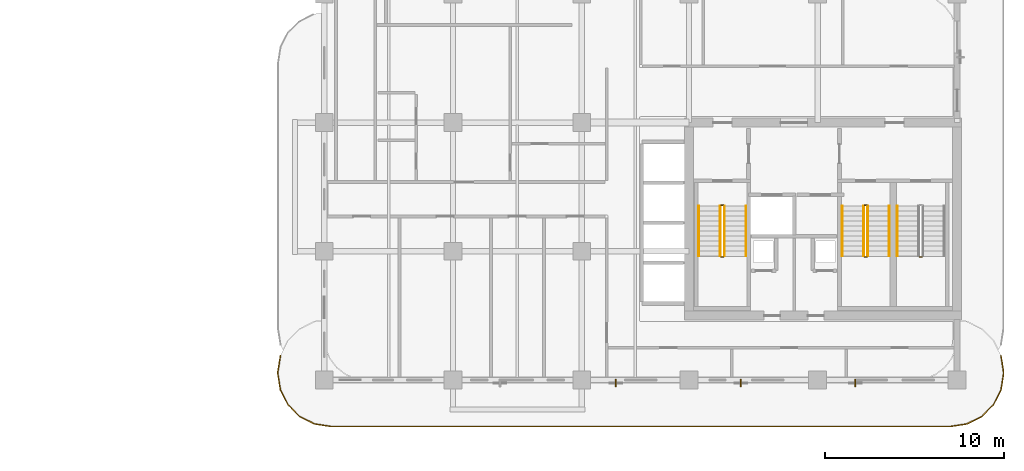
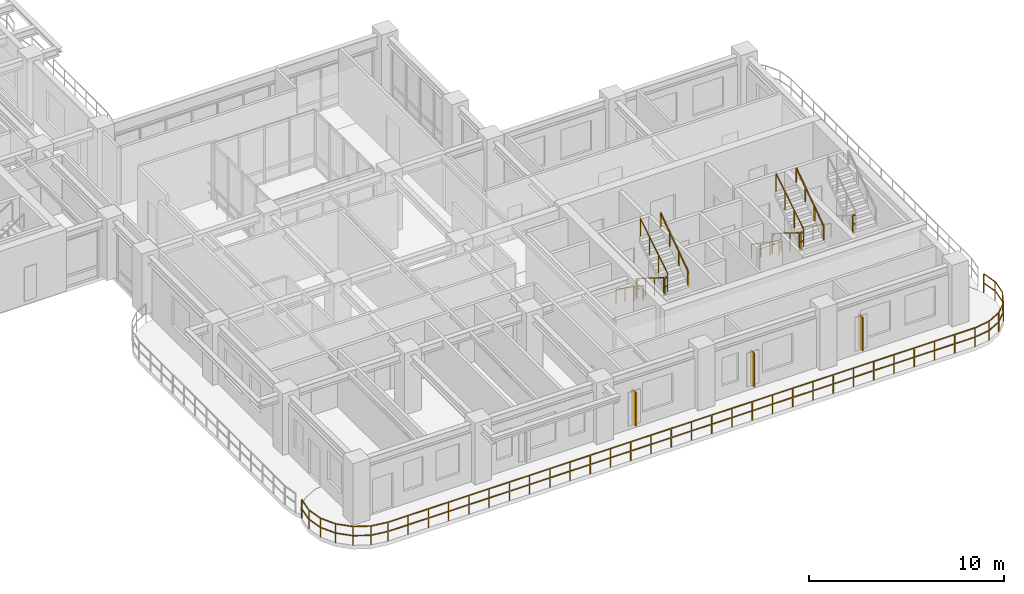
# One storey, part 19 of 21: 15 railings, 3 shading devices.
"""IFC4 building model written with IfcOpenShell, lengths in metres."""

from ifc_helpers import new_model, si_unit, derived_unit, direction, frame, origin, origin_2d, place, context, subcontext, project, spatial, rectangle, extrude, source, transform, mapped, material, layer, layer_set, type_object, type_shapes, element, save


model = new_model("IFC4")

# Units and contexts
model_context = context("Model", 3, precision=1e-05, world=origin(), true_north=direction((0.0, 1.0)))
body_context = subcontext(model_context, "Body", "Model", "MODEL_VIEW")
ifc_project = project(units=[si_unit("LENGTHUNIT", "METRE"), si_unit("AREAUNIT", "SQUARE_METRE"), si_unit("VOLUMEUNIT", "CUBIC_METRE"), si_unit("PLANEANGLEUNIT", "RADIAN"), si_unit("MASSUNIT", "GRAM", prefix="KILO"), si_unit("THERMODYNAMICTEMPERATUREUNIT", "KELVIN"), si_unit("POWERUNIT", "WATT"), derived_unit("THERMALTRANSMITTANCEUNIT", [(si_unit("POWERUNIT", "WATT"), 1), (si_unit("AREAUNIT", "SQUARE_METRE"), -1), (si_unit("THERMODYNAMICTEMPERATUREUNIT", "KELVIN"), -1)])], contexts=[model_context])

# Site, building, storey
site_placement = place(None, origin())
site = spatial("IfcSite", under=ifc_project, at=site_placement, CompositionType="ELEMENT")
building_placement = place(site_placement, origin())
building = spatial("IfcBuilding", under=site, at=building_placement, Name="Zahravan Archway Hotel and Residences", CompositionType="ELEMENT")
storey_placement = place(building_placement, frame((0.0, 0.0, 169.550048828125)))
storey = spatial("IfcBuildingStorey", under=building, at=storey_placement, Name="L42", CompositionType="ELEMENT", Elevation=169.550048828125)

# Railings
ifc_material_1 = material(Name="Bronze & Laminated Glass Balustrade", Category="glass")
railing_type_1 = type_object("IfcRailingType", Name="RL-BAL-1200", PredefinedType="BALUSTRADE", material=ifc_material_1)
railing_1_placement = place(storey_placement, frame((52.255615234375, 1.361572265625, 0.0)))
element("IfcRailing", 1, at=railing_1_placement, inside=storey, type_object=railing_type_1, Name="L42 Balustrade RL-SLB-BAL-L42-SA-1", PredefinedType="BALUSTRADE", context=body_context, shape_type="SweptSolid", body=[
    extrude(rectangle(XDim=0.048095703125, YDim=0.048095703125, at=origin_2d()), frame((0.0, 0.0, 1.17578125), z_axis=(0.156329311416, -0.987704989555, 0.0), x_axis=(0.987704989555, 0.156329311416, 0.0)), (0.0, 0.0, 1.0), 0.9228515625),
    extrude(rectangle(XDim=0.048095703125, YDim=0.048095703125, at=origin_2d()), frame((0.0, 0.0, 0.60009765625), z_axis=(0.156329311416, -0.987704989555, 0.0), x_axis=(0.987704989555, 0.156329311416, 0.0)), (0.0, 0.0, 1.0), 0.9228515625),
    extrude(rectangle(XDim=0.048095703125, YDim=0.048095703125, at=origin_2d()), frame((0.144287109375, -0.91162109375, 1.17578125), z_axis=(0.0, -1.0, 0.0), x_axis=(1.0, 0.0, 0.0)), (0.0, 0.0, 1.0), 0.099853515625),
    extrude(rectangle(XDim=0.048095703125, YDim=0.048095703125, at=origin_2d()), frame((0.144287109375, -0.91162109375, 0.60009765625), z_axis=(0.0, -1.0, 0.0), x_axis=(1.0, 0.0, 0.0)), (0.0, 0.0, 1.0), 0.099853515625),
    extrude(rectangle(XDim=0.048095703125, YDim=0.048095703125, at=origin_2d()), frame((0.144287109375, -1.011474609375, 1.17578125), z_axis=(-0.156329311416, -0.987704989555, 0.0), x_axis=(0.987704989555, -0.156329311416, 0.0)), (0.0, 0.0, 1.0), 0.9228515625),
    extrude(rectangle(XDim=0.048095703125, YDim=0.048095703125, at=origin_2d()), frame((0.144287109375, -1.011474609375, 0.60009765625), z_axis=(-0.156329311416, -0.987704989555, 0.0), x_axis=(0.987704989555, -0.156329311416, 0.0)), (0.0, 0.0, 1.0), 0.9228515625),
    extrude(rectangle(XDim=0.048095703125, YDim=0.048095703125, at=origin_2d()), frame((0.0, -1.923095703125, 1.17578125), z_axis=(-0.453866348456, -0.891069771532, 0.0), x_axis=(0.891069771532, -0.453866348456, 0.0)), (0.0, 0.0, 1.0), 0.923095703125),
    extrude(rectangle(XDim=0.048095703125, YDim=0.048095703125, at=origin_2d()), frame((0.0, -1.923095703125, 0.60009765625), z_axis=(-0.453866348456, -0.891069771532, 0.0), x_axis=(0.891069771532, -0.453866348456, 0.0)), (0.0, 0.0, 1.0), 0.923095703125),
    extrude(rectangle(XDim=0.048095703125, YDim=0.048095703125, at=origin_2d()), frame((-0.4189453125, -2.74560546875, 1.17578125), z_axis=(-0.707106781187, -0.707106781187, 0.0), x_axis=(0.707106781187, -0.707106781187, 0.0)), (0.0, 0.0, 1.0), 0.9228515625),
    extrude(rectangle(XDim=0.048095703125, YDim=0.048095703125, at=origin_2d()), frame((-0.4189453125, -2.74560546875, 0.60009765625), z_axis=(-0.707106781187, -0.707106781187, 0.0), x_axis=(0.707106781187, -0.707106781187, 0.0)), (0.0, 0.0, 1.0), 0.9228515625),
    extrude(rectangle(XDim=0.048095703125, YDim=0.048095703125, at=origin_2d()), frame((-1.071533203125, -3.398193359375, 1.17578125), z_axis=(-0.891069771532, -0.453866348456, 0.0), x_axis=(0.453866348456, -0.891069771532, 0.0)), (0.0, 0.0, 1.0), 0.923095703125),
    extrude(rectangle(XDim=0.048095703125, YDim=0.048095703125, at=origin_2d()), frame((-1.071533203125, -3.398193359375, 0.60009765625), z_axis=(-0.891069771532, -0.453866348456, 0.0), x_axis=(0.453866348456, -0.891069771532, 0.0)), (0.0, 0.0, 1.0), 0.923095703125),
    extrude(rectangle(XDim=0.048095703125, YDim=0.048095703125, at=origin_2d()), frame((-1.89404296875, -3.817138671875, 1.17578125), z_axis=(-0.98766411426, -0.156587347521, 0.0), x_axis=(0.156587347521, -0.98766411426, 0.0)), (0.0, 0.0, 1.0), 0.923095703125),
    extrude(rectangle(XDim=0.048095703125, YDim=0.048095703125, at=origin_2d()), frame((-1.89404296875, -3.817138671875, 0.60009765625), z_axis=(-0.98766411426, -0.156587347521, 0.0), x_axis=(0.156587347521, -0.98766411426, 0.0)), (0.0, 0.0, 1.0), 0.923095703125),
    extrude(rectangle(XDim=0.048095703125, YDim=0.048095703125, at=origin_2d()), frame((-2.8056640625, -3.961669921875, 1.17578125), z_axis=(-1.0, 0.0, 0.0), x_axis=(0.0, -1.0, 0.0)), (0.0, 0.0, 1.0), 34.699951171875),
    extrude(rectangle(XDim=0.048095703125, YDim=0.048095703125, at=origin_2d()), frame((-2.8056640625, -3.961669921875, 0.60009765625), z_axis=(-1.0, 0.0, 0.0), x_axis=(0.0, -1.0, 0.0)), (0.0, 0.0, 1.0), 34.699951171875),
    extrude(rectangle(XDim=0.048095703125, YDim=0.048095703125, at=origin_2d()), frame((-37.505615234375, -3.961669921875, 1.17578125), z_axis=(-0.98766411426, 0.156587347521, 0.0), x_axis=(-0.156587347521, -0.98766411426, 0.0)), (0.0, 0.0, 1.0), 0.923095703125),
    extrude(rectangle(XDim=0.048095703125, YDim=0.048095703125, at=origin_2d()), frame((-37.505615234375, -3.961669921875, 0.60009765625), z_axis=(-0.98766411426, 0.156587347521, 0.0), x_axis=(-0.156587347521, -0.98766411426, 0.0)), (0.0, 0.0, 1.0), 0.923095703125),
    extrude(rectangle(XDim=0.048095703125, YDim=0.048095703125, at=origin_2d()), frame((-38.417236328125, -3.817138671875, 1.17578125), z_axis=(-0.891015268556, 0.453973337542, 0.0), x_axis=(-0.453973337542, -0.891015268556, 0.0)), (0.0, 0.0, 1.0), 0.9228515625),
    extrude(rectangle(XDim=0.048095703125, YDim=0.048095703125, at=origin_2d()), frame((-38.417236328125, -3.817138671875, 0.60009765625), z_axis=(-0.891015268556, 0.453973337542, 0.0), x_axis=(-0.453973337542, -0.891015268556, 0.0)), (0.0, 0.0, 1.0), 0.9228515625),
    extrude(rectangle(XDim=0.048095703125, YDim=0.048095703125, at=origin_2d()), frame((-39.239501953125, -3.398193359375, 1.17578125), z_axis=(-0.707239012465, 0.706974525176, 0.0), x_axis=(-0.706974525176, -0.707239012465, 0.0)), (0.0, 0.0, 1.0), 0.923095703125),
    extrude(rectangle(XDim=0.048095703125, YDim=0.048095703125, at=origin_2d()), frame((-39.239501953125, -3.398193359375, 0.60009765625), z_axis=(-0.707239012465, 0.706974525176, 0.0), x_axis=(-0.706974525176, -0.707239012465, 0.0)), (0.0, 0.0, 1.0), 0.923095703125),
    extrude(rectangle(XDim=0.048095703125, YDim=0.048095703125, at=origin_2d()), frame((-39.892333984375, -2.74560546875, 1.17578125), z_axis=(-0.453866348456, 0.891069771532, 0.0), x_axis=(-0.891069771532, -0.453866348456, 0.0)), (0.0, 0.0, 1.0), 0.923095703125),
    extrude(rectangle(XDim=0.048095703125, YDim=0.048095703125, at=origin_2d()), frame((-39.892333984375, -2.74560546875, 0.60009765625), z_axis=(-0.453866348456, 0.891069771532, 0.0), x_axis=(-0.891069771532, -0.453866348456, 0.0)), (0.0, 0.0, 1.0), 0.923095703125),
    extrude(rectangle(XDim=0.048095703125, YDim=0.048095703125, at=origin_2d()), frame((-40.311279296875, -1.923095703125, 1.17578125), z_axis=(-0.156329311416, 0.987704989555, 0.0), x_axis=(-0.987704989555, -0.156329311416, 0.0)), (0.0, 0.0, 1.0), 0.9228515625),
    extrude(rectangle(XDim=0.048095703125, YDim=0.048095703125, at=origin_2d()), frame((-40.311279296875, -1.923095703125, 0.60009765625), z_axis=(-0.156329311416, 0.987704989555, 0.0), x_axis=(-0.987704989555, -0.156329311416, 0.0)), (0.0, 0.0, 1.0), 0.9228515625),
    extrude(rectangle(XDim=0.048095703125, YDim=0.048095703125, at=origin_2d()), frame((-40.45556640625, -1.011474609375, 1.17578125), z_axis=(0.0, 1.0, 0.0), x_axis=(-1.0, 0.0, 0.0)), (0.0, 0.0, 1.0), 0.099853515625),
    extrude(rectangle(XDim=0.048095703125, YDim=0.048095703125, at=origin_2d()), frame((-40.45556640625, -1.011474609375, 0.60009765625), z_axis=(0.0, 1.0, 0.0), x_axis=(-1.0, 0.0, 0.0)), (0.0, 0.0, 1.0), 0.099853515625),
    extrude(rectangle(XDim=0.048095703125, YDim=0.048095703125, at=origin_2d()), frame((-40.45556640625, -0.91162109375, 1.17578125), z_axis=(0.156329311416, 0.987704989555, 0.0), x_axis=(-0.987704989555, 0.156329311416, 0.0)), (0.0, 0.0, 1.0), 0.9228515625),
    extrude(rectangle(XDim=0.048095703125, YDim=0.048095703125, at=origin_2d()), frame((-40.45556640625, -0.91162109375, 0.60009765625), z_axis=(0.156329311416, 0.987704989555, 0.0), x_axis=(-0.987704989555, 0.156329311416, 0.0)), (0.0, 0.0, 1.0), 0.9228515625),
    extrude(rectangle(XDim=0.0419921875, YDim=0.0419921875, at=origin_2d()), origin(), (0.0, 0.0, 1.0), 1.15185546875),
    extrude(rectangle(XDim=0.0419921875, YDim=0.0419921875, at=origin_2d()), frame((0.144287109375, -0.91162109375, 0.0)), (0.0, 0.0, 1.0), 1.15185546875),
    extrude(rectangle(XDim=0.0419921875, YDim=0.0419921875, at=origin_2d()), frame((0.0, -1.923095703125, 0.0)), (0.0, 0.0, 1.0), 1.15185546875),
    extrude(rectangle(XDim=0.0419921875, YDim=0.0419921875, at=origin_2d()), frame((-0.4189453125, -2.74560546875, 0.0)), (0.0, 0.0, 1.0), 1.15185546875),
    extrude(rectangle(XDim=0.0419921875, YDim=0.0419921875, at=origin_2d()), frame((-1.071533203125, -3.398193359375, 0.0)), (0.0, 0.0, 1.0), 1.15185546875),
    extrude(rectangle(XDim=0.0419921875, YDim=0.0419921875, at=origin_2d()), frame((-1.89404296875, -3.817138671875, 0.0)), (0.0, 0.0, 1.0), 1.15185546875),
    extrude(rectangle(XDim=0.0419921875, YDim=0.0419921875, at=origin_2d()), frame((-2.8056640625, -3.961669921875, 0.0)), (0.0, 0.0, 1.0), 1.15185546875),
    extrude(rectangle(XDim=0.0419921875, YDim=0.0419921875, at=origin_2d()), frame((-4.002197265625, -3.961669921875, 0.0)), (0.0, 0.0, 1.0), 1.15185546875),
    extrude(rectangle(XDim=0.0419921875, YDim=0.0419921875, at=origin_2d()), frame((-5.19873046875, -3.961669921875, 0.0)), (0.0, 0.0, 1.0), 1.15185546875),
    extrude(rectangle(XDim=0.0419921875, YDim=0.0419921875, at=origin_2d()), frame((-6.395263671875, -3.961669921875, 0.0)), (0.0, 0.0, 1.0), 1.15185546875),
    extrude(rectangle(XDim=0.0419921875, YDim=0.0419921875, at=origin_2d()), frame((-7.591796875, -3.961669921875, 0.0)), (0.0, 0.0, 1.0), 1.15185546875),
    extrude(rectangle(XDim=0.0419921875, YDim=0.0419921875, at=origin_2d()), frame((-8.788330078125, -3.961669921875, 0.0)), (0.0, 0.0, 1.0), 1.15185546875),
    extrude(rectangle(XDim=0.0419921875, YDim=0.0419921875, at=origin_2d()), frame((-9.98486328125, -3.961669921875, 0.0)), (0.0, 0.0, 1.0), 1.15185546875),
    extrude(rectangle(XDim=0.0419921875, YDim=0.0419921875, at=origin_2d()), frame((-11.181396484375, -3.961669921875, 0.0)), (0.0, 0.0, 1.0), 1.15185546875),
    extrude(rectangle(XDim=0.0419921875, YDim=0.0419921875, at=origin_2d()), frame((-12.378173828125, -3.961669921875, 0.0)), (0.0, 0.0, 1.0), 1.15185546875),
    extrude(rectangle(XDim=0.0419921875, YDim=0.0419921875, at=origin_2d()), frame((-13.57470703125, -3.961669921875, 0.0)), (0.0, 0.0, 1.0), 1.15185546875),
    extrude(rectangle(XDim=0.0419921875, YDim=0.0419921875, at=origin_2d()), frame((-14.771240234375, -3.961669921875, 0.0)), (0.0, 0.0, 1.0), 1.15185546875),
    extrude(rectangle(XDim=0.0419921875, YDim=0.0419921875, at=origin_2d()), frame((-15.9677734375, -3.961669921875, 0.0)), (0.0, 0.0, 1.0), 1.15185546875),
    extrude(rectangle(XDim=0.0419921875, YDim=0.0419921875, at=origin_2d()), frame((-17.164306640625, -3.961669921875, 0.0)), (0.0, 0.0, 1.0), 1.15185546875),
    extrude(rectangle(XDim=0.0419921875, YDim=0.0419921875, at=origin_2d()), frame((-18.36083984375, -3.961669921875, 0.0)), (0.0, 0.0, 1.0), 1.15185546875),
    extrude(rectangle(XDim=0.0419921875, YDim=0.0419921875, at=origin_2d()), frame((-19.557373046875, -3.961669921875, 0.0)), (0.0, 0.0, 1.0), 1.15185546875),
    extrude(rectangle(XDim=0.0419921875, YDim=0.0419921875, at=origin_2d()), frame((-20.75390625, -3.961669921875, 0.0)), (0.0, 0.0, 1.0), 1.15185546875),
    extrude(rectangle(XDim=0.0419921875, YDim=0.0419921875, at=origin_2d()), frame((-21.950439453125, -3.961669921875, 0.0)), (0.0, 0.0, 1.0), 1.15185546875),
    extrude(rectangle(XDim=0.0419921875, YDim=0.0419921875, at=origin_2d()), frame((-23.14697265625, -3.961669921875, 0.0)), (0.0, 0.0, 1.0), 1.15185546875),
    extrude(rectangle(XDim=0.0419921875, YDim=0.0419921875, at=origin_2d()), frame((-24.343505859375, -3.961669921875, 0.0)), (0.0, 0.0, 1.0), 1.15185546875),
    extrude(rectangle(XDim=0.0419921875, YDim=0.0419921875, at=origin_2d()), frame((-25.5400390625, -3.961669921875, 0.0)), (0.0, 0.0, 1.0), 1.15185546875),
    extrude(rectangle(XDim=0.0419921875, YDim=0.0419921875, at=origin_2d()), frame((-26.736572265625, -3.961669921875, 0.0)), (0.0, 0.0, 1.0), 1.15185546875),
    extrude(rectangle(XDim=0.0419921875, YDim=0.0419921875, at=origin_2d()), frame((-27.93310546875, -3.961669921875, 0.0)), (0.0, 0.0, 1.0), 1.15185546875),
    extrude(rectangle(XDim=0.0419921875, YDim=0.0419921875, at=origin_2d()), frame((-29.1298828125, -3.961669921875, 0.0)), (0.0, 0.0, 1.0), 1.15185546875),
    extrude(rectangle(XDim=0.0419921875, YDim=0.0419921875, at=origin_2d()), frame((-30.326416015625, -3.961669921875, 0.0)), (0.0, 0.0, 1.0), 1.15185546875),
    extrude(rectangle(XDim=0.0419921875, YDim=0.0419921875, at=origin_2d()), frame((-31.52294921875, -3.961669921875, 0.0)), (0.0, 0.0, 1.0), 1.15185546875),
    extrude(rectangle(XDim=0.0419921875, YDim=0.0419921875, at=origin_2d()), frame((-32.719482421875, -3.961669921875, 0.0)), (0.0, 0.0, 1.0), 1.15185546875),
    extrude(rectangle(XDim=0.0419921875, YDim=0.0419921875, at=origin_2d()), frame((-33.916015625, -3.961669921875, 0.0)), (0.0, 0.0, 1.0), 1.15185546875),
    extrude(rectangle(XDim=0.0419921875, YDim=0.0419921875, at=origin_2d()), frame((-35.112548828125, -3.961669921875, 0.0)), (0.0, 0.0, 1.0), 1.15185546875),
    extrude(rectangle(XDim=0.0419921875, YDim=0.0419921875, at=origin_2d()), frame((-36.30908203125, -3.961669921875, 0.0)), (0.0, 0.0, 1.0), 1.15185546875),
    extrude(rectangle(XDim=0.0419921875, YDim=0.0419921875, at=origin_2d()), frame((-37.505615234375, -3.961669921875, 0.0)), (0.0, 0.0, 1.0), 1.15185546875),
    extrude(rectangle(XDim=0.0419921875, YDim=0.0419921875, at=origin_2d()), frame((-38.417236328125, -3.817138671875, 0.0)), (0.0, 0.0, 1.0), 1.15185546875),
    extrude(rectangle(XDim=0.0419921875, YDim=0.0419921875, at=origin_2d()), frame((-39.239501953125, -3.398193359375, 0.0)), (0.0, 0.0, 1.0), 1.15185546875),
    extrude(rectangle(XDim=0.0419921875, YDim=0.0419921875, at=origin_2d()), frame((-39.892333984375, -2.74560546875, 0.0)), (0.0, 0.0, 1.0), 1.15185546875),
    extrude(rectangle(XDim=0.0419921875, YDim=0.0419921875, at=origin_2d()), frame((-40.311279296875, -1.923095703125, 0.0)), (0.0, 0.0, 1.0), 1.15185546875),
    extrude(rectangle(XDim=0.0419921875, YDim=0.0419921875, at=origin_2d()), frame((-40.45556640625, -1.011474609375, 0.0)), (0.0, 0.0, 1.0), 1.15185546875),
    extrude(rectangle(XDim=0.0419921875, YDim=0.0419921875, at=origin_2d()), frame((-40.311279296875, 0.0, 0.0)), (0.0, 0.0, 1.0), 1.15185546875),
])
ifc_material_2 = material(Name="Painted Tubular Steel", Category="steel")
railing_type_2 = type_object("IfcRailingType", Name="RL-STG-1150", PredefinedType="GUARDRAIL", material=ifc_material_2)
railing_2_placement = place(storey_placement, frame((36.550048828125, 9.72998046875, 0.175048828125)))
element("IfcRailing", 2, at=railing_2_placement, inside=storey, type_object=railing_type_2, Name="L42 ST-A1 stair guard 1", PredefinedType="GUARDRAIL", context=body_context, shape_type="SweptSolid", body=[
    extrude(rectangle(XDim=0.048095703125, YDim=0.048095703125, at=origin_2d()), frame((0.0, 0.0, 1.1259765625), z_axis=(0.0, -0.848002457836, 0.529992293815), x_axis=(1.0, 0.0, 0.0)), (0.0, 0.0, 1.0), 3.302001953125),
    extrude(rectangle(XDim=0.0419921875, YDim=0.0419921875, at=origin_2d()), origin(), (0.0, 0.0, 1.0), 1.101806640625),
    extrude(rectangle(XDim=0.0419921875, YDim=0.0419921875, at=origin_2d()), frame((0.0, -0.933349609375, 0.583251953125)), (0.0, 0.0, 1.0), 1.101806640625),
    extrude(rectangle(XDim=0.0419921875, YDim=0.0419921875, at=origin_2d()), frame((0.0, -1.86669921875, 1.166748046875)), (0.0, 0.0, 1.0), 1.101806640625),
    extrude(rectangle(XDim=0.0419921875, YDim=0.0419921875, at=origin_2d()), frame((0.0, -2.800048828125, 1.75)), (0.0, 0.0, 1.0), 1.101806640625),
])
railing_3_placement = place(storey_placement, frame((36.60009765625, 6.8798828125, 1.925048828125)))
element("IfcRailing", 3, at=railing_3_placement, inside=storey, type_object=railing_type_2, Name="L42 ST-A1 stair guard 2", PredefinedType="GUARDRAIL", context=body_context, shape_type="SweptSolid", body=[
    extrude(rectangle(XDim=0.048095703125, YDim=0.048095703125, at=origin_2d()), frame((0.0, 0.0, 1.1259765625), z_axis=(1.0, 0.0, 0.0), x_axis=(0.0, 1.0, 0.0)), (0.0, 0.0, 1.0), 0.139892578125),
    extrude(rectangle(XDim=0.048095703125, YDim=0.048095703125, at=origin_2d()), frame((0.0, 0.0, 0.574951171875), z_axis=(1.0, 0.0, 0.0), x_axis=(0.0, 1.0, 0.0)), (0.0, 0.0, 1.0), 0.139892578125),
    extrude(rectangle(XDim=0.0419921875, YDim=0.0419921875, at=origin_2d()), origin(), (0.0, 0.0, 1.0), 1.101806640625),
])
railing_4_placement = place(storey_placement, frame((36.7900390625, 6.929931640625, 2.099853515625)))
element("IfcRailing", 4, at=railing_4_placement, inside=storey, type_object=railing_type_2, Name="L42 ST-A1 stair guard 3", PredefinedType="GUARDRAIL", context=body_context, shape_type="SweptSolid", body=[
    extrude(rectangle(XDim=0.048095703125, YDim=0.048095703125, at=origin_2d()), frame((0.0, 0.0, 1.1259765625), z_axis=(0.0, 0.848002457836, 0.529992293815), x_axis=(-1.0, 0.0, 0.0)), (0.0, 0.0, 1.0), 3.302001953125),
    extrude(rectangle(XDim=0.0419921875, YDim=0.0419921875, at=origin_2d()), origin(), (0.0, 0.0, 1.0), 1.101806640625),
    extrude(rectangle(XDim=0.0419921875, YDim=0.0419921875, at=origin_2d()), frame((0.0, 0.933349609375, 0.583251953125)), (0.0, 0.0, 1.0), 1.101806640625),
    extrude(rectangle(XDim=0.0419921875, YDim=0.0419921875, at=origin_2d()), frame((0.0, 1.86669921875, 1.166748046875)), (0.0, 0.0, 1.0), 1.101806640625),
    extrude(rectangle(XDim=0.0419921875, YDim=0.0419921875, at=origin_2d()), frame((0.0, 2.800048828125, 1.75)), (0.0, 0.0, 1.0), 1.101806640625),
])
railing_5_placement = place(storey_placement, frame((36.60009765625, 9.780029296875, 0.0)))
element("IfcRailing", 5, at=railing_5_placement, inside=storey, type_object=railing_type_2, Name="L42 ST-A1 stair guard 4", PredefinedType="GUARDRAIL", context=body_context, shape_type="SweptSolid", body=[
    extrude(rectangle(XDim=0.048095703125, YDim=0.048095703125, at=origin_2d()), frame((0.0, 0.0, 1.1259765625), z_axis=(1.0, 0.0, 0.0), x_axis=(0.0, 1.0, 0.0)), (0.0, 0.0, 1.0), 0.139892578125),
    extrude(rectangle(XDim=0.048095703125, YDim=0.048095703125, at=origin_2d()), frame((0.0, 0.0, 0.574951171875), z_axis=(1.0, 0.0, 0.0), x_axis=(0.0, 1.0, 0.0)), (0.0, 0.0, 1.0), 0.139892578125),
    extrude(rectangle(XDim=0.0419921875, YDim=0.0419921875, at=origin_2d()), origin(), (0.0, 0.0, 1.0), 1.101806640625),
])
railing_6_placement = place(storey_placement, frame((44.570068359375, 9.72998046875, 0.175048828125)))
element("IfcRailing", 6, at=railing_6_placement, inside=storey, type_object=railing_type_2, Name="L42 ST-A2 stair guard 1", PredefinedType="GUARDRAIL", context=body_context, shape_type="SweptSolid", body=[
    extrude(rectangle(XDim=0.048095703125, YDim=0.048095703125, at=origin_2d()), frame((0.0, 0.0, 1.1259765625), z_axis=(0.0, -0.848002457836, 0.529992293815), x_axis=(1.0, 0.0, 0.0)), (0.0, 0.0, 1.0), 3.302001953125),
    extrude(rectangle(XDim=0.0419921875, YDim=0.0419921875, at=origin_2d()), origin(), (0.0, 0.0, 1.0), 1.101806640625),
    extrude(rectangle(XDim=0.0419921875, YDim=0.0419921875, at=origin_2d()), frame((0.0, -0.933349609375, 0.583251953125)), (0.0, 0.0, 1.0), 1.101806640625),
    extrude(rectangle(XDim=0.0419921875, YDim=0.0419921875, at=origin_2d()), frame((0.0, -1.86669921875, 1.166748046875)), (0.0, 0.0, 1.0), 1.101806640625),
    extrude(rectangle(XDim=0.0419921875, YDim=0.0419921875, at=origin_2d()), frame((0.0, -2.800048828125, 1.75)), (0.0, 0.0, 1.0), 1.101806640625),
])
railing_7_placement = place(storey_placement, frame((44.6201171875, 6.8798828125, 1.925048828125)))
element("IfcRailing", 7, at=railing_7_placement, inside=storey, type_object=railing_type_2, Name="L42 ST-A2 stair guard 2", PredefinedType="GUARDRAIL", context=body_context, shape_type="SweptSolid", body=[
    extrude(rectangle(XDim=0.048095703125, YDim=0.048095703125, at=origin_2d()), frame((0.0, 0.0, 1.1259765625), z_axis=(1.0, 0.0, 0.0), x_axis=(0.0, 1.0, 0.0)), (0.0, 0.0, 1.0), 0.139892578125),
    extrude(rectangle(XDim=0.048095703125, YDim=0.048095703125, at=origin_2d()), frame((0.0, 0.0, 0.574951171875), z_axis=(1.0, 0.0, 0.0), x_axis=(0.0, 1.0, 0.0)), (0.0, 0.0, 1.0), 0.139892578125),
    extrude(rectangle(XDim=0.0419921875, YDim=0.0419921875, at=origin_2d()), origin(), (0.0, 0.0, 1.0), 1.101806640625),
])
railing_8_placement = place(storey_placement, frame((44.81005859375, 6.929931640625, 2.099853515625)))
element("IfcRailing", 8, at=railing_8_placement, inside=storey, type_object=railing_type_2, Name="L42 ST-A2 stair guard 3", PredefinedType="GUARDRAIL", context=body_context, shape_type="SweptSolid", body=[
    extrude(rectangle(XDim=0.048095703125, YDim=0.048095703125, at=origin_2d()), frame((0.0, 0.0, 1.1259765625), z_axis=(0.0, 0.848002457836, 0.529992293815), x_axis=(-1.0, 0.0, 0.0)), (0.0, 0.0, 1.0), 3.302001953125),
    extrude(rectangle(XDim=0.0419921875, YDim=0.0419921875, at=origin_2d()), origin(), (0.0, 0.0, 1.0), 1.101806640625),
    extrude(rectangle(XDim=0.0419921875, YDim=0.0419921875, at=origin_2d()), frame((0.0, 0.933349609375, 0.583251953125)), (0.0, 0.0, 1.0), 1.101806640625),
    extrude(rectangle(XDim=0.0419921875, YDim=0.0419921875, at=origin_2d()), frame((0.0, 1.86669921875, 1.166748046875)), (0.0, 0.0, 1.0), 1.101806640625),
    extrude(rectangle(XDim=0.0419921875, YDim=0.0419921875, at=origin_2d()), frame((0.0, 2.800048828125, 1.75)), (0.0, 0.0, 1.0), 1.101806640625),
])
railing_9_placement = place(storey_placement, frame((44.6201171875, 9.780029296875, 0.0)))
element("IfcRailing", 9, at=railing_9_placement, inside=storey, type_object=railing_type_2, Name="L42 ST-A2 stair guard 4", PredefinedType="GUARDRAIL", context=body_context, shape_type="SweptSolid", body=[
    extrude(rectangle(XDim=0.048095703125, YDim=0.048095703125, at=origin_2d()), frame((0.0, 0.0, 1.1259765625), z_axis=(1.0, 0.0, 0.0), x_axis=(0.0, 1.0, 0.0)), (0.0, 0.0, 1.0), 0.139892578125),
    extrude(rectangle(XDim=0.048095703125, YDim=0.048095703125, at=origin_2d()), frame((0.0, 0.0, 0.574951171875), z_axis=(1.0, 0.0, 0.0), x_axis=(0.0, 1.0, 0.0)), (0.0, 0.0, 1.0), 0.139892578125),
    extrude(rectangle(XDim=0.0419921875, YDim=0.0419921875, at=origin_2d()), origin(), (0.0, 0.0, 1.0), 1.101806640625),
])
railing_10_placement = place(storey_placement, frame((47.699951171875, 6.8798828125, 1.925048828125)))
element("IfcRailing", 10, at=railing_10_placement, inside=storey, type_object=railing_type_2, Name="L42 ST-A3 stair guard 2", PredefinedType="GUARDRAIL", context=body_context, shape_type="SweptSolid", body=[
    extrude(rectangle(XDim=0.048095703125, YDim=0.048095703125, at=origin_2d()), frame((0.0, 0.0, 1.1259765625), z_axis=(1.0, 0.0, 0.0), x_axis=(0.0, 1.0, 0.0)), (0.0, 0.0, 1.0), 0.14013671875),
    extrude(rectangle(XDim=0.048095703125, YDim=0.048095703125, at=origin_2d()), frame((0.0, 0.0, 0.574951171875), z_axis=(1.0, 0.0, 0.0), x_axis=(0.0, 1.0, 0.0)), (0.0, 0.0, 1.0), 0.14013671875),
    extrude(rectangle(XDim=0.0419921875, YDim=0.0419921875, at=origin_2d()), origin(), (0.0, 0.0, 1.0), 1.101806640625),
])
ifc_material_3 = material(Name="Brushed Stainless Steel", Category="steel")
railing_type_3 = type_object("IfcRailingType", Name="RL-STH-900", PredefinedType="HANDRAIL", material=ifc_material_3)
railing_11_placement = place(storey_placement, frame((35.35009765625, 9.72998046875, 0.175048828125)))
element("IfcRailing", 11, at=railing_11_placement, inside=storey, type_object=railing_type_3, Name="L42 ST-A1 stair handrail 1", PredefinedType="HANDRAIL", context=body_context, shape_type="SweptSolid", body=[
    extrude(rectangle(XDim=0.048095703125, YDim=0.048095703125, at=origin_2d()), frame((0.0, 0.0, 0.8759765625), z_axis=(0.0, -0.824073370198, 0.566483080534), x_axis=(1.0, 0.0, 0.0)), (0.0, 0.0, 1.0), 3.397705078125),
    extrude(rectangle(XDim=0.0419921875, YDim=0.0419921875, at=origin_2d()), origin(), (0.0, 0.0, 1.0), 0.851806640625),
    extrude(rectangle(XDim=0.0419921875, YDim=0.0419921875, at=origin_2d()), frame((0.0, -0.933349609375, 0.6416015625)), (0.0, 0.0, 1.0), 0.851806640625),
    extrude(rectangle(XDim=0.0419921875, YDim=0.0419921875, at=origin_2d()), frame((0.0, -1.86669921875, 1.283203125)), (0.0, 0.0, 1.0), 0.851806640625),
    extrude(rectangle(XDim=0.0419921875, YDim=0.0419921875, at=origin_2d()), frame((0.0, -2.800048828125, 1.9248046875)), (0.0, 0.0, 1.0), 0.851806640625),
])
railing_12_placement = place(storey_placement, frame((37.989990234375, 6.929931640625, 2.099853515625)))
element("IfcRailing", 12, at=railing_12_placement, inside=storey, type_object=railing_type_3, Name="L42 ST-A1 stair handrail 2", PredefinedType="HANDRAIL", context=body_context, shape_type="SweptSolid", body=[
    extrude(rectangle(XDim=0.048095703125, YDim=0.048095703125, at=origin_2d()), frame((0.0, 0.0, 0.8759765625), z_axis=(0.0, 0.824039827795, 0.566531872191), x_axis=(-1.0, 0.0, 0.0)), (0.0, 0.0, 1.0), 3.39794921875),
    extrude(rectangle(XDim=0.0419921875, YDim=0.0419921875, at=origin_2d()), origin(), (0.0, 0.0, 1.0), 0.851806640625),
    extrude(rectangle(XDim=0.0419921875, YDim=0.0419921875, at=origin_2d()), frame((0.0, 0.933349609375, 0.6416015625)), (0.0, 0.0, 1.0), 0.851806640625),
    extrude(rectangle(XDim=0.0419921875, YDim=0.0419921875, at=origin_2d()), frame((0.0, 1.86669921875, 1.283447265625)), (0.0, 0.0, 1.0), 0.851806640625),
    extrude(rectangle(XDim=0.0419921875, YDim=0.0419921875, at=origin_2d()), frame((0.0, 2.800048828125, 1.925048828125)), (0.0, 0.0, 1.0), 0.851806640625),
])
railing_13_placement = place(storey_placement, frame((43.3701171875, 9.72998046875, 0.175048828125)))
element("IfcRailing", 13, at=railing_13_placement, inside=storey, type_object=railing_type_3, Name="L42 ST-A2 stair handrail 1", PredefinedType="HANDRAIL", context=body_context, shape_type="SweptSolid", body=[
    extrude(rectangle(XDim=0.048095703125, YDim=0.048095703125, at=origin_2d()), frame((0.0, 0.0, 0.8759765625), z_axis=(0.0, -0.824073370198, 0.566483080534), x_axis=(1.0, 0.0, 0.0)), (0.0, 0.0, 1.0), 3.397705078125),
    extrude(rectangle(XDim=0.0419921875, YDim=0.0419921875, at=origin_2d()), origin(), (0.0, 0.0, 1.0), 0.851806640625),
    extrude(rectangle(XDim=0.0419921875, YDim=0.0419921875, at=origin_2d()), frame((0.0, -0.933349609375, 0.6416015625)), (0.0, 0.0, 1.0), 0.851806640625),
    extrude(rectangle(XDim=0.0419921875, YDim=0.0419921875, at=origin_2d()), frame((0.0, -1.86669921875, 1.283203125)), (0.0, 0.0, 1.0), 0.851806640625),
    extrude(rectangle(XDim=0.0419921875, YDim=0.0419921875, at=origin_2d()), frame((0.0, -2.800048828125, 1.9248046875)), (0.0, 0.0, 1.0), 0.851806640625),
])
railing_14_placement = place(storey_placement, frame((46.010009765625, 6.929931640625, 2.099853515625)))
element("IfcRailing", 14, at=railing_14_placement, inside=storey, type_object=railing_type_3, Name="L42 ST-A2 stair handrail 2", PredefinedType="HANDRAIL", context=body_context, shape_type="SweptSolid", body=[
    extrude(rectangle(XDim=0.048095703125, YDim=0.048095703125, at=origin_2d()), frame((0.0, 0.0, 0.8759765625), z_axis=(0.0, 0.824039827795, 0.566531872191), x_axis=(-1.0, 0.0, 0.0)), (0.0, 0.0, 1.0), 3.39794921875),
    extrude(rectangle(XDim=0.0419921875, YDim=0.0419921875, at=origin_2d()), origin(), (0.0, 0.0, 1.0), 0.851806640625),
    extrude(rectangle(XDim=0.0419921875, YDim=0.0419921875, at=origin_2d()), frame((0.0, 0.933349609375, 0.6416015625)), (0.0, 0.0, 1.0), 0.851806640625),
    extrude(rectangle(XDim=0.0419921875, YDim=0.0419921875, at=origin_2d()), frame((0.0, 1.86669921875, 1.283447265625)), (0.0, 0.0, 1.0), 0.851806640625),
    extrude(rectangle(XDim=0.0419921875, YDim=0.0419921875, at=origin_2d()), frame((0.0, 2.800048828125, 1.925048828125)), (0.0, 0.0, 1.0), 0.851806640625),
])
railing_15_placement = place(storey_placement, frame((46.449951171875, 9.72998046875, 0.175048828125)))
element("IfcRailing", 15, at=railing_15_placement, inside=storey, type_object=railing_type_3, Name="L42 ST-A3 stair handrail 1", PredefinedType="HANDRAIL", context=body_context, shape_type="SweptSolid", body=[
    extrude(rectangle(XDim=0.048095703125, YDim=0.048095703125, at=origin_2d()), frame((0.0, 0.0, 0.8759765625), z_axis=(0.0, -0.824073370198, 0.566483080534), x_axis=(1.0, 0.0, 0.0)), (0.0, 0.0, 1.0), 3.397705078125),
    extrude(rectangle(XDim=0.0419921875, YDim=0.0419921875, at=origin_2d()), origin(), (0.0, 0.0, 1.0), 0.851806640625),
    extrude(rectangle(XDim=0.0419921875, YDim=0.0419921875, at=origin_2d()), frame((0.0, -0.933349609375, 0.6416015625)), (0.0, 0.0, 1.0), 0.851806640625),
    extrude(rectangle(XDim=0.0419921875, YDim=0.0419921875, at=origin_2d()), frame((0.0, -1.86669921875, 1.283203125)), (0.0, 0.0, 1.0), 0.851806640625),
    extrude(rectangle(XDim=0.0419921875, YDim=0.0419921875, at=origin_2d()), frame((0.0, -2.800048828125, 1.9248046875)), (0.0, 0.0, 1.0), 0.851806640625),
])

# Shading devices
ifc_material_4 = material(Name="Terracotta & Bronze Solar Brise-Soleil", Category="masonry")
ifc_layer = layer(ifc_material_4, 0.06005859375, Name="Terracotta & Bronze Solar Brise-Soleil", Category="masonry")
ifc_layer_set = layer_set([ifc_layer], Name="Terracotta & Bronze Solar Brise-Soleil")
shading_device_type = type_object("IfcShadingDeviceType", Name="SHD-MASH-FIN", PredefinedType="JALOUSIE", material=ifc_layer_set)
shared_shape = source(origin(), body_context, "Body", "SweptSolid", [
    extrude(rectangle(XDim=0.06005859375, YDim=0.419921875, at=origin_2d()), origin(), (0.0, 0.0, 1.0), 2.10009765625),
])
type_shapes(shading_device_type, [shared_shape])
for number, where, z_axis, x_axis, name in (
    (16, (30.7080078125, -0.177978515625, 0.25), (0.0, 0.0, 1.0), (1.0, 0.0, 0.0), "L42 Solar Mashrabiya Fin 02"),
    (17, (37.7080078125, -0.177978515625, 0.25), (0.0, 0.0, 1.0), (1.0, 0.0, 0.0), "L42 Solar Mashrabiya Fin 03"),
    (18, (44.10791015625, -0.177978515625, 0.25), (0.0, 0.0, 1.0), (1.0, 0.0, 0.0), "L42 Solar Mashrabiya Fin 04"),
):
    element("IfcShadingDevice", number, at=place(storey_placement, frame(where, z_axis=z_axis, x_axis=x_axis)), inside=storey, type_object=shading_device_type, Name=name, PredefinedType="JALOUSIE", context=body_context, shape_type="MappedRepresentation", body=[
        mapped(shared_shape, transform((0.0, 0.0, 0.0), scale=1.0)),
    ])

save(model, "model.ifc")
